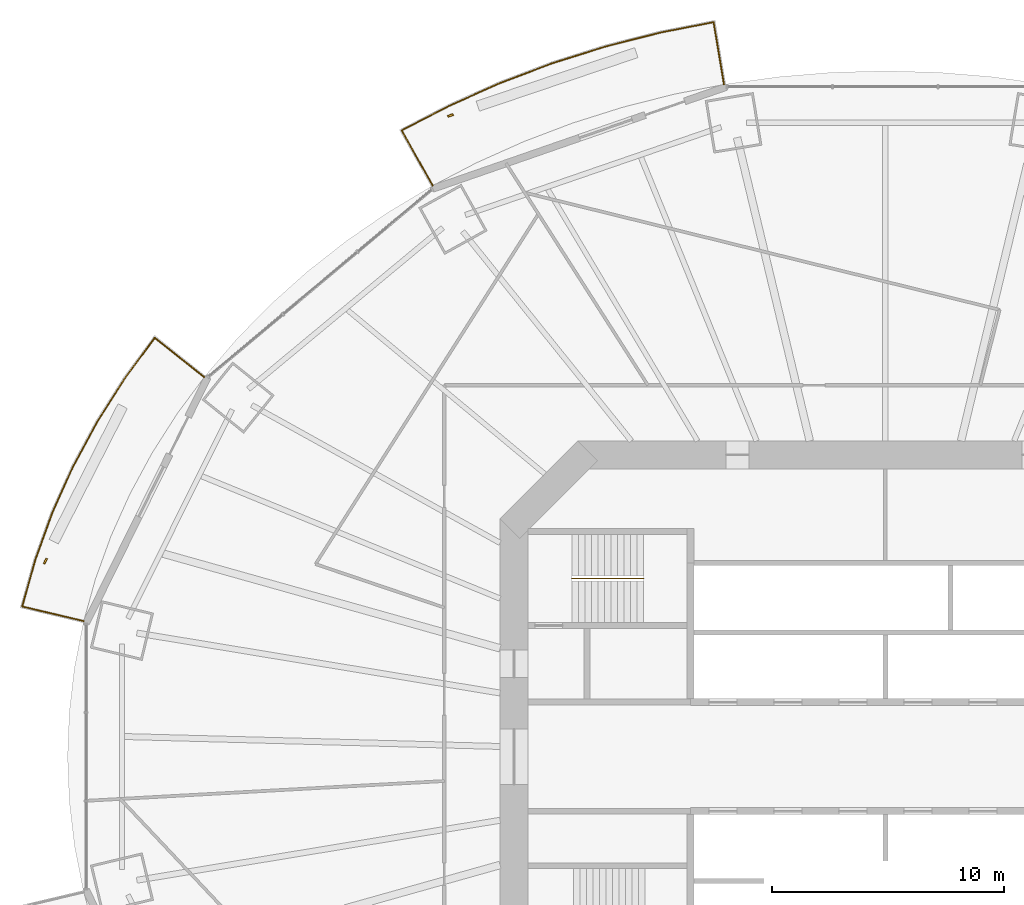
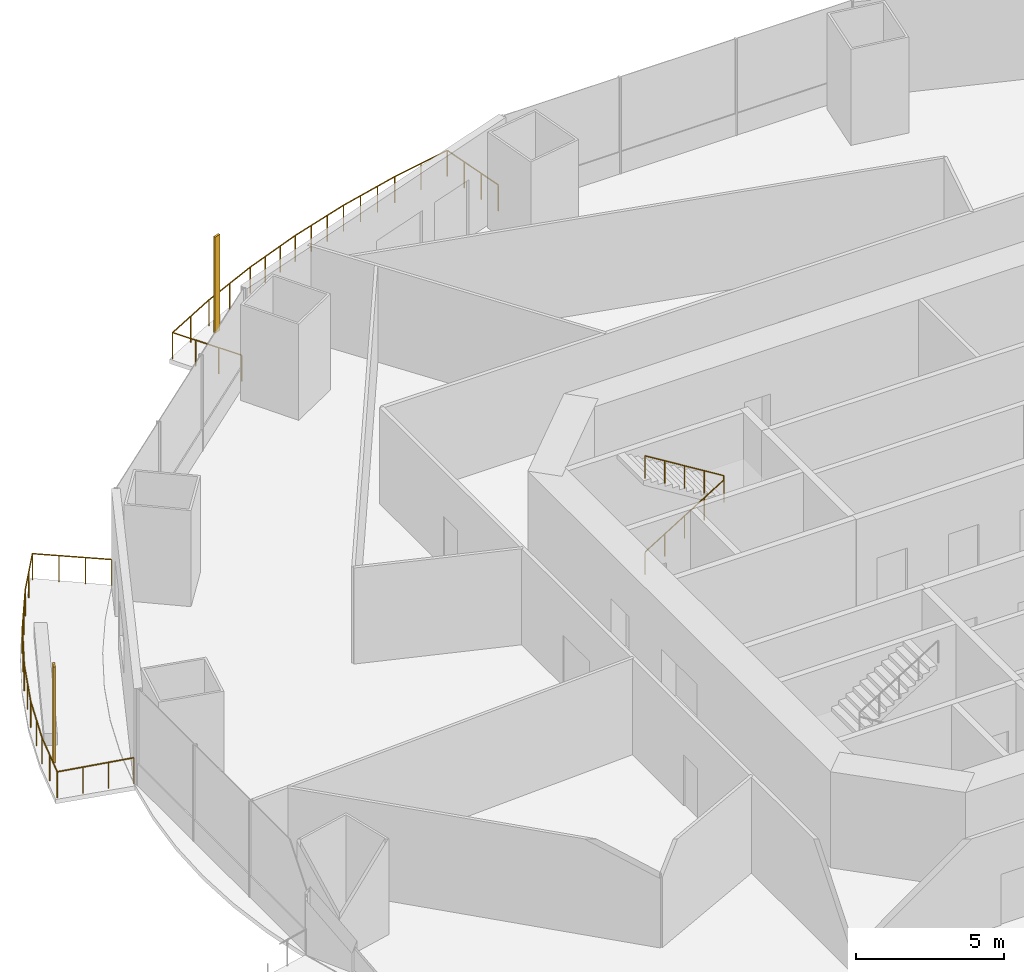
# One storey, part 19 of 22: 3 railings, 2 shading devices.
"""IFC4 building model written with IfcOpenShell, lengths in metres."""

import ifcopenshell
import ifcopenshell.guid

model = None  # the IFC model being written
_history = None  # IfcOwnerHistory: only IFC2X3 demands one
_inside = {}  # id of a spatial element -> (the spatial element, [elements in it])
_under = {}  # id of a project, library or spatial element -> (it, [spatial elements below it])
_declared = {}  # id of a project -> (the project, [libraries it declares])
_typed = {}  # id of a type object -> (the type object, [elements of that type])
_made_of = {}  # id of a material, layer set ... -> (it, [elements and type objects made of it])


def new_model(schema):
    """Start an empty IFC model of exactly this schema.

    Asked for "IFC4X3", IfcOpenShell would pick the latest addendum, in which some entities
    have other attributes; the version numbers below select the first issue.
    IFC2X3 requires an IfcOwnerHistory on every rooted entity: one is made here for all.
    """
    global model, _history
    if schema == "IFC4X3":
        model = ifcopenshell.file(schema_version=(4, 3, 0, 0))
    else:
        model = ifcopenshell.file(schema=schema)
    _inside.clear()
    _under.clear()
    _declared.clear()
    _typed.clear()
    _made_of.clear()
    _history = None
    if model.schema == "IFC2X3":
        org = make("IfcOrganization", Name="unknown")
        user = make(
            "IfcPersonAndOrganization",
            ThePerson=make("IfcPerson", FamilyName="unknown"),
            TheOrganization=org,
        )
        app = make(
            "IfcApplication",
            ApplicationDeveloper=org,
            Version="unknown",
            ApplicationFullName="unknown",
            ApplicationIdentifier="unknown",
        )
        _history = make(
            "IfcOwnerHistory",
            OwningUser=user,
            OwningApplication=app,
            ChangeAction="ADDED",
            CreationDate=0,
        )
    return model


def make(cls, **values):
    """One entity of the class cls with the attributes given. An attribute that is None is left unset."""
    return model.create_entity(
        cls, **{name: value for name, value in values.items() if value is not None}
    )


def rooted(cls, **values):
    """An entity with a GlobalId (a new one), such as an element, a storey or a relation."""
    return make(cls, GlobalId=ifcopenshell.guid.new(), OwnerHistory=_history, **values)


def si_unit(unit_type, name, prefix=None):
    """IfcSIUnit, for example si_unit("LENGTHUNIT", "METRE", prefix="MILLI")."""
    return make("IfcSIUnit", UnitType=unit_type, Prefix=prefix, Name=name)


def assignment(units):
    """IfcUnitAssignment: the units of a project."""
    return None if units is None else make("IfcUnitAssignment", Units=units)


def point(xyz):
    """IfcCartesianPoint."""
    return None if xyz is None else make("IfcCartesianPoint", Coordinates=xyz)


def direction(xyz):
    """IfcDirection."""
    return None if xyz is None else make("IfcDirection", DirectionRatios=xyz)


def frame(location, z_axis=None, x_axis=None):
    """IfcAxis2Placement3D, a coordinate frame: its origin and axes. An axis left out is left unset."""
    return make(
        "IfcAxis2Placement3D",
        Location=point(location),
        Axis=direction(z_axis),
        RefDirection=direction(x_axis),
    )


def frame_2d(location, x_axis=None):
    """IfcAxis2Placement2D, a coordinate frame in the plane: its origin and x axis."""
    return make(
        "IfcAxis2Placement2D", Location=point(location), RefDirection=direction(x_axis)
    )


def origin():
    """The frame at (0, 0, 0) with its axes left unset."""
    return frame((0.0, 0.0, 0.0))


def origin_2d():
    """The frame at (0, 0) in the plane with its x axis left unset."""
    return frame_2d((0.0, 0.0))


def place(relative_to, where):
    """IfcLocalPlacement: puts the frame where relative to a parent placement (None: the world)."""
    return make(
        "IfcLocalPlacement", PlacementRelTo=relative_to, RelativePlacement=where
    )


def context(
    kind, dimensions, precision=None, world=None, true_north=None, identifier=None
):
    """IfcGeometricRepresentationContext, for example the 3D "Model" context."""
    return make(
        "IfcGeometricRepresentationContext",
        ContextIdentifier=identifier,
        ContextType=kind,
        CoordinateSpaceDimension=dimensions,
        Precision=precision,
        WorldCoordinateSystem=world,
        TrueNorth=true_north,
    )


def subcontext(parent, identifier, kind, view, scale=None):
    """IfcGeometricRepresentationSubContext, for example "Body" below "Model"."""
    return make(
        "IfcGeometricRepresentationSubContext",
        ContextIdentifier=identifier,
        ContextType=kind,
        ParentContext=parent,
        TargetScale=scale,
        TargetView=view,
    )


def project(units=None, contexts=None):
    """IfcProject with its units and contexts."""
    return rooted(
        "IfcProject",
        Name="project",
        RepresentationContexts=contexts,
        UnitsInContext=assignment(units),
    )


def spatial(cls, under=None, at=None, **own):
    """A site, building, storey or space (cls), placed at a placement, below another one or the project."""
    s = rooted(cls, ObjectPlacement=at, **own)
    if under is not None:
        _under.setdefault(under.id(), (under, []))[1].append(s)
    return s


def profile(cls, at=None, kind="AREA", **sizes):
    """A parametric profile (cls). Its sizes go by their IFC names, for example OverallWidth=200.0."""
    return make(cls, ProfileType=kind, Position=at, **sizes)


def rectangle(**sizes):
    """IfcRectangleProfileDef."""
    return profile("IfcRectangleProfileDef", **sizes)


def circle(**sizes):
    """IfcCircleProfileDef."""
    return profile("IfcCircleProfileDef", **sizes)


def extrude(swept, where, along, depth):
    """IfcExtrudedAreaSolid: the profile swept, set in the frame where, extruded along a direction by depth."""
    return make(
        "IfcExtrudedAreaSolid",
        SweptArea=swept,
        Position=where,
        ExtrudedDirection=direction(along),
        Depth=depth,
    )


def shape(context_of_items, identifier, shape_type, items):
    """IfcShapeRepresentation: the items that make up one representation, for example the "Body"."""
    return make(
        "IfcShapeRepresentation",
        ContextOfItems=context_of_items,
        RepresentationIdentifier=identifier,
        RepresentationType=shape_type,
        Items=items,
    )


def material(Name=None, Category=None):
    """IfcMaterial."""
    return make("IfcMaterial", Name=Name, Category=Category)


def material_profile(
    of_material, cross_section, Name=None, Category=None, Priority=None
):
    """IfcMaterialProfile: a cross section and its material."""
    return make(
        "IfcMaterialProfile",
        Name=Name,
        Material=of_material,
        Profile=cross_section,
        Priority=Priority,
        Category=Category,
    )


def profile_set(profiles, Name=None, composite=None):
    """IfcMaterialProfileSet."""
    return make(
        "IfcMaterialProfileSet",
        Name=Name,
        MaterialProfiles=profiles,
        CompositeProfile=composite,
    )


def made_of(thing, what):
    """Note that an element or type object is made of a material, layer set ...; save() writes the relation."""
    if what is not None:
        _made_of.setdefault(what.id(), (what, []))[1].append(thing)
    return thing


def type_object(cls, material=None, **own):
    """A type object (cls), such as IfcWallType, which elements share."""
    return made_of(rooted(cls, **own), material)


def element(
    cls,
    number,
    at=None,
    inside=None,
    cuts=None,
    type_object=None,
    material=None,
    context=None,
    identifier="Body",
    shape_type=None,
    held_by="IfcProductDefinitionShape",
    body=None,
    shapes=None,
    **own,
):
    """One element of the class cls, such as IfcWall. Its Tag is "e" and its number.

    at: its placement. inside: the storey or other place that contains it. cuts: it is an
    opening in that element (IfcRelVoidsElement). A single representation is given by context,
    identifier, shape_type and body (its items); several are given by shapes. held_by: the class
    of the entity that holds the representations. save() writes the other relations.
    """
    e = rooted(cls, Tag="e%d" % number, ObjectPlacement=at, **own)
    if body is not None:
        shapes = [shape(context, identifier, shape_type, body)]
    if shapes is not None:
        e.Representation = make(held_by, Representations=shapes)
    if inside is not None:
        _inside.setdefault(inside.id(), (inside, []))[1].append(e)
    if cuts is not None:
        rooted(
            "IfcRelVoidsElement", RelatingBuildingElement=cuts, RelatedOpeningElement=e
        )
    if type_object is not None:
        _typed.setdefault(type_object.id(), (type_object, []))[1].append(e)
    return made_of(e, material)


def aggregate(whole, parts):
    """IfcRelAggregates: a whole, such as a stair, and the parts it consists of."""
    return rooted("IfcRelAggregates", RelatingObject=whole, RelatedObjects=parts)


def save(model, path):
    """Write the relations noted so far, then the file.

    IfcRelAggregates (storeys below a building ...), IfcRelContainedInSpatialStructure (elements
    in a storey), IfcRelDefinesByType, IfcRelAssociatesMaterial and IfcRelDeclares: one each for
    every whole, place, type object, material and project.
    """
    for whole, parts in _under.values():
        aggregate(whole, parts)
    for where, things in _inside.values():
        rooted(
            "IfcRelContainedInSpatialStructure",
            RelatedElements=things,
            RelatingStructure=where,
        )
    for kind, things in _typed.values():
        rooted("IfcRelDefinesByType", RelatedObjects=things, RelatingType=kind)
    for what, things in _made_of.values():
        rooted("IfcRelAssociatesMaterial", RelatedObjects=things, RelatingMaterial=what)
    for by, libraries in _declared.values():
        rooted("IfcRelDeclares", RelatingContext=by, RelatedDefinitions=libraries)
    model.write(path)


model = new_model("IFC4")

# Units and contexts
model_context = context("Model", 3, precision=1e-05, world=origin(), true_north=direction((0.0, 1.0)))
body_context = subcontext(model_context, "Body", "Model", "MODEL_VIEW")
ifc_project = project(units=[si_unit("LENGTHUNIT", "METRE"), si_unit("AREAUNIT", "SQUARE_METRE"), si_unit("VOLUMEUNIT", "CUBIC_METRE"), si_unit("PLANEANGLEUNIT", "RADIAN"), si_unit("MASSUNIT", "GRAM", prefix="KILO")], contexts=[model_context])

# Site, building, storey
site_placement = place(None, origin())
site = spatial("IfcSite", under=ifc_project, at=site_placement, CompositionType="ELEMENT")
building_placement = place(site_placement, origin())
building = spatial("IfcBuilding", under=site, at=building_placement, Name="Marenthal Gate Tower", CompositionType="ELEMENT")
storey_placement = place(building_placement, frame((0.0, 0.0, 91.10009765625)))
storey = spatial("IfcBuildingStorey", under=building, at=storey_placement, Name="L18", CompositionType="ELEMENT", Elevation=91.10009765625)

# Railings
ifc_material_1 = material(Name="Stainless steel", Category="steel")
railing_type_1 = type_object("IfcRailingType", Name="Balcony guard 1100", PredefinedType="GUARDRAIL", material=ifc_material_1)
railing_1_placement = place(storey_placement, frame((-19.50341796875, 24.59912109375, 0.0)))
element("IfcRailing", 1, at=railing_1_placement, inside=storey, type_object=railing_type_1, Name="Balcony guard L18 bay 5", PredefinedType="GUARDRAIL", context=body_context, shape_type="SweptSolid", body=[
    extrude(circle(Radius=0.02392578125, at=origin_2d()), frame((0.0, 0.0, 1.076171875), z_axis=(-0.489023148101, 0.872146623829, -0.01471825955), x_axis=(-0.872241104505, -0.489076124557, 0.0)), (0.0, 0.0, 1.0), 2.720458984375),
    extrude(circle(Radius=0.02392578125, at=origin_2d()), frame((-1.330322265625, 2.37255859375, 1.0361328125), z_axis=(0.887216801235, 0.461352736642, 0.0), x_axis=(-0.461352736642, 0.887216801235, 0.0)), (0.0, 0.0, 1.0), 2.290771484375),
    extrude(circle(Radius=0.02392578125, at=origin_2d()), frame((0.7021484375, 3.429443359375, 1.0361328125), z_axis=(0.912542222384, 0.408982508631, 0.0), x_axis=(-0.408982508631, 0.912542222384, 0.0)), (0.0, 0.0, 1.0), 2.3876953125),
    extrude(circle(Radius=0.02392578125, at=origin_2d()), frame((2.881103515625, 4.406005859375, 1.0361328125), z_axis=(0.934801116304, 0.355171610573, 0.0), x_axis=(-0.355171610573, 0.934801116304, 0.0)), (0.0, 0.0, 1.0), 2.40380859375),
    extrude(circle(Radius=0.02392578125, at=origin_2d()), frame((5.128173828125, 5.259765625, 1.0361328125), z_axis=(0.953649791478, 0.300918718616, 0.0), x_axis=(-0.300918718616, 0.953649791478, 0.0)), (0.0, 0.0, 1.0), 2.417724609375),
    extrude(circle(Radius=0.02392578125, at=origin_2d()), frame((7.433837890625, 5.9873046875, 1.0361328125), z_axis=(0.969141273658, 0.246505966848, 0.0), x_axis=(-0.246505966848, 0.969141273658, 0.0)), (0.0, 0.0, 1.0), 2.429443359375),
    extrude(circle(Radius=0.02392578125, at=origin_2d()), frame((9.788330078125, 6.586181640625, 1.0361328125), z_axis=(0.981243578155, 0.19277199052, 0.0), x_axis=(-0.19277199052, 0.981243578155, 0.0)), (0.0, 0.0, 1.0), 2.359375),
    extrude(circle(Radius=0.02392578125, at=origin_2d()), frame((12.103515625, 7.041015625, 1.0361328125), z_axis=(0.164599482451, -0.986250661205, 0.014718819587), x_axis=(0.986357511038, 0.164617315064, 0.0)), (0.0, 0.0, 1.0), 2.72021484375),
    extrude(circle(Radius=0.02099609375, at=origin_2d()), origin(), (0.0, 0.0, 1.0), 1.052001953125),
    extrude(circle(Radius=0.02099609375, at=origin_2d()), frame((-0.443359375, 0.790771484375, -0.013427734375)), (0.0, 0.0, 1.0), 1.052001953125),
    extrude(circle(Radius=0.02099609375, at=origin_2d()), frame((-0.886962890625, 1.581787109375, -0.026611328125)), (0.0, 0.0, 1.0), 1.052001953125),
    extrude(circle(Radius=0.02099609375, at=origin_2d()), frame((-1.330322265625, 2.37255859375, -0.0400390625)), (0.0, 0.0, 1.0), 1.052001953125),
    extrude(circle(Radius=0.02099609375, at=origin_2d()), frame((-0.31396484375, 2.90087890625, -0.0400390625)), (0.0, 0.0, 1.0), 1.052001953125),
    extrude(circle(Radius=0.02099609375, at=origin_2d()), frame((0.7021484375, 3.429443359375, -0.0400390625)), (0.0, 0.0, 1.0), 1.052001953125),
    extrude(circle(Radius=0.02099609375, at=origin_2d()), frame((1.79150390625, 3.917724609375, -0.0400390625)), (0.0, 0.0, 1.0), 1.052001953125),
    extrude(circle(Radius=0.02099609375, at=origin_2d()), frame((2.881103515625, 4.406005859375, -0.0400390625)), (0.0, 0.0, 1.0), 1.052001953125),
    extrude(circle(Radius=0.02099609375, at=origin_2d()), frame((3.630126953125, 4.690673828125, -0.0400390625)), (0.0, 0.0, 1.0), 1.052001953125),
    extrude(circle(Radius=0.02099609375, at=origin_2d()), frame((4.379150390625, 4.97509765625, -0.0400390625)), (0.0, 0.0, 1.0), 1.052001953125),
    extrude(circle(Radius=0.02099609375, at=origin_2d()), frame((5.128173828125, 5.259765625, -0.0400390625)), (0.0, 0.0, 1.0), 1.052001953125),
    extrude(circle(Radius=0.02099609375, at=origin_2d()), frame((5.896728515625, 5.502197265625, -0.0400390625)), (0.0, 0.0, 1.0), 1.052001953125),
    extrude(circle(Radius=0.02099609375, at=origin_2d()), frame((6.665283203125, 5.744873046875, -0.0400390625)), (0.0, 0.0, 1.0), 1.052001953125),
    extrude(circle(Radius=0.02099609375, at=origin_2d()), frame((7.433837890625, 5.9873046875, -0.0400390625)), (0.0, 0.0, 1.0), 1.052001953125),
    extrude(circle(Radius=0.02099609375, at=origin_2d()), frame((8.21875, 6.18701171875, -0.0400390625)), (0.0, 0.0, 1.0), 1.052001953125),
    extrude(circle(Radius=0.02099609375, at=origin_2d()), frame((9.00341796875, 6.386474609375, -0.0400390625)), (0.0, 0.0, 1.0), 1.052001953125),
    extrude(circle(Radius=0.02099609375, at=origin_2d()), frame((9.788330078125, 6.586181640625, -0.0400390625)), (0.0, 0.0, 1.0), 1.052001953125),
    extrude(circle(Radius=0.02099609375, at=origin_2d()), frame((10.94580078125, 6.8134765625, -0.0400390625)), (0.0, 0.0, 1.0), 1.052001953125),
    extrude(circle(Radius=0.02099609375, at=origin_2d()), frame((12.103515625, 7.041015625, -0.0400390625)), (0.0, 0.0, 1.0), 1.052001953125),
    extrude(circle(Radius=0.02099609375, at=origin_2d()), frame((12.252685546875, 6.146728515625, -0.026611328125)), (0.0, 0.0, 1.0), 1.052001953125),
    extrude(circle(Radius=0.02099609375, at=origin_2d()), frame((12.402099609375, 5.25244140625, -0.013427734375)), (0.0, 0.0, 1.0), 1.052001953125),
    extrude(circle(Radius=0.02099609375, at=origin_2d()), frame((12.55126953125, 4.358154296875, 0.0)), (0.0, 0.0, 1.0), 1.052001953125),
])
railing_2_placement = place(storey_placement, frame((-34.53564453125, 5.84033203125, 0.0)))
element("IfcRailing", 2, at=railing_2_placement, inside=storey, type_object=railing_type_1, Name="Balcony guard L18 bay 7", PredefinedType="GUARDRAIL", context=body_context, shape_type="SweptSolid", body=[
    extrude(circle(Radius=0.02392578125, at=origin_2d()), frame((0.0, 0.0, 1.076171875), z_axis=(-0.972921871805, 0.230665056323, -0.014719482193), x_axis=(-0.230690048693, -0.973027287096, 0.0)), (0.0, 0.0, 1.0), 2.72021484375),
    extrude(circle(Radius=0.02392578125, at=origin_2d()), frame((-2.646484375, 0.62744140625, 1.0361328125), z_axis=(0.269294922849, 0.963057757628, 0.0), x_axis=(-0.963057757628, 0.269294922849, 0.0)), (0.0, 0.0, 1.0), 2.08154296875),
    extrude(circle(Radius=0.02392578125, at=origin_2d()), frame((-2.0859375, 2.632080078125, 1.0361328125), z_axis=(0.340172038454, 0.940363219322, 0.0), x_axis=(-0.940363219322, 0.340172038454, 0.0)), (0.0, 0.0, 1.0), 2.171630859375),
    extrude(circle(Radius=0.02392578125, at=origin_2d()), frame((-1.34716796875, 4.67431640625, 1.0361328125), z_axis=(0.409495490191, 0.912312141492, 0.0), x_axis=(-0.912312141492, 0.409495490191, 0.0)), (0.0, 0.0, 1.0), 2.1845703125),
    extrude(circle(Radius=0.02392578125, at=origin_2d()), frame((-0.45263671875, 6.667236328125, 1.0361328125), z_axis=(0.475449699906, 0.879742907251, 0.0), x_axis=(-0.879742907251, 0.475449699906, 0.0)), (0.0, 0.0, 1.0), 2.19921875),
    extrude(circle(Radius=0.02392578125, at=origin_2d()), frame((0.593017578125, 8.60205078125, 1.0361328125), z_axis=(0.537495639062, 0.843266528442, 0.0), x_axis=(-0.843266528442, 0.537495639062, 0.0)), (0.0, 0.0, 1.0), 2.215576171875),
    extrude(circle(Radius=0.02392578125, at=origin_2d()), frame((1.783935546875, 10.470458984375, 1.0361328125), z_axis=(0.594617358606, 0.804008828835, 0.0), x_axis=(-0.804008828835, 0.594617358606, 0.0)), (0.0, 0.0, 1.0), 2.153564453125),
    extrude(circle(Radius=0.02392578125, at=origin_2d()), frame((3.064453125, 12.201904296875, 1.0361328125), z_axis=(0.782218085053, -0.62283082954, 0.014718192514), x_axis=(0.622898300926, 0.782302822892, 0.0)), (0.0, 0.0, 1.0), 2.720458984375),
    extrude(circle(Radius=0.02099609375, at=origin_2d()), origin(), (0.0, 0.0, 1.0), 1.052001953125),
    extrude(circle(Radius=0.02099609375, at=origin_2d()), frame((-0.882080078125, 0.209228515625, -0.013427734375)), (0.0, 0.0, 1.0), 1.052001953125),
    extrude(circle(Radius=0.02099609375, at=origin_2d()), frame((-1.764404296875, 0.418212890625, -0.026611328125)), (0.0, 0.0, 1.0), 1.052001953125),
    extrude(circle(Radius=0.02099609375, at=origin_2d()), frame((-2.646484375, 0.62744140625, -0.0400390625)), (0.0, 0.0, 1.0), 1.052001953125),
    extrude(circle(Radius=0.02099609375, at=origin_2d()), frame((-2.3662109375, 1.6298828125, -0.0400390625)), (0.0, 0.0, 1.0), 1.052001953125),
    extrude(circle(Radius=0.02099609375, at=origin_2d()), frame((-2.0859375, 2.632080078125, -0.0400390625)), (0.0, 0.0, 1.0), 1.052001953125),
    extrude(circle(Radius=0.02099609375, at=origin_2d()), frame((-1.716552734375, 3.6533203125, -0.0400390625)), (0.0, 0.0, 1.0), 1.052001953125),
    extrude(circle(Radius=0.02099609375, at=origin_2d()), frame((-1.34716796875, 4.67431640625, -0.0400390625)), (0.0, 0.0, 1.0), 1.052001953125),
    extrude(circle(Radius=0.02099609375, at=origin_2d()), frame((-0.89990234375, 5.6708984375, -0.0400390625)), (0.0, 0.0, 1.0), 1.052001953125),
    extrude(circle(Radius=0.02099609375, at=origin_2d()), frame((-0.45263671875, 6.667236328125, -0.0400390625)), (0.0, 0.0, 1.0), 1.052001953125),
    extrude(circle(Radius=0.02099609375, at=origin_2d()), frame((0.0703125, 7.634765625, -0.0400390625)), (0.0, 0.0, 1.0), 1.052001953125),
    extrude(circle(Radius=0.02099609375, at=origin_2d()), frame((0.593017578125, 8.60205078125, -0.0400390625)), (0.0, 0.0, 1.0), 1.052001953125),
    extrude(circle(Radius=0.02099609375, at=origin_2d()), frame((1.1884765625, 9.5361328125, -0.0400390625)), (0.0, 0.0, 1.0), 1.052001953125),
    extrude(circle(Radius=0.02099609375, at=origin_2d()), frame((1.783935546875, 10.470458984375, -0.0400390625)), (0.0, 0.0, 1.0), 1.052001953125),
    extrude(circle(Radius=0.02099609375, at=origin_2d()), frame((2.42431640625, 11.336181640625, -0.0400390625)), (0.0, 0.0, 1.0), 1.052001953125),
    extrude(circle(Radius=0.02099609375, at=origin_2d()), frame((3.064453125, 12.201904296875, -0.0400390625)), (0.0, 0.0, 1.0), 1.052001953125),
    extrude(circle(Radius=0.02099609375, at=origin_2d()), frame((3.773681640625, 11.63720703125, -0.026611328125)), (0.0, 0.0, 1.0), 1.052001953125),
    extrude(circle(Radius=0.02099609375, at=origin_2d()), frame((4.483154296875, 11.072265625, -0.013427734375)), (0.0, 0.0, 1.0), 1.052001953125),
    extrude(circle(Radius=0.02099609375, at=origin_2d()), frame((5.1923828125, 10.507568359375, 0.0)), (0.0, 0.0, 1.0), 1.052001953125),
])
ifc_material_2 = material(Name="Stainless steel", Category="steel")
railing_type_2 = type_object("IfcRailingType", Name="Stair handrail", PredefinedType="HANDRAIL", material=ifc_material_2)
railing_3_placement = place(storey_placement, frame((-13.5, 7.675048828125, 0.1728515625)))
element("IfcRailing", 3, at=railing_3_placement, inside=storey, type_object=railing_type_2, Name="Handrail ST1", PredefinedType="HANDRAIL", context=body_context, shape_type="SweptSolid", body=[
    extrude(circle(Radius=0.0224609375, at=origin_2d()), frame((0.0, 0.0, 0.927490234375), z_axis=(0.850835241893, 0.0, 0.525432575268), x_axis=(0.0, 1.0, 0.0)), (0.0, 0.0, 1.0), 3.6201171875),
    extrude(circle(Radius=0.0224609375, at=origin_2d()), frame((3.080078125, 0.0, 2.82958984375), z_axis=(0.0, 0.0, 1.0), x_axis=(1.0, 0.0, 0.0)), (0.0, 0.0, 1.0), 0.1728515625),
    extrude(circle(Radius=0.0224609375, at=origin_2d()), frame((3.080078125, 0.0, 3.00244140625), z_axis=(-0.850835241893, 0.0, 0.525432575268), x_axis=(0.0, -1.0, 0.0)), (0.0, 0.0, 1.0), 3.6201171875),
    extrude(circle(Radius=0.02001953125, at=origin_2d()), origin(), (0.0, 0.0, 1.0), 0.905029296875),
    extrude(circle(Radius=0.02001953125, at=origin_2d()), frame((0.77001953125, 0.0, 0.4755859375)), (0.0, 0.0, 1.0), 0.905029296875),
    extrude(circle(Radius=0.02001953125, at=origin_2d()), frame((1.5400390625, 0.0, 0.951171875)), (0.0, 0.0, 1.0), 0.905029296875),
    extrude(circle(Radius=0.02001953125, at=origin_2d()), frame((2.31005859375, 0.0, 1.426513671875)), (0.0, 0.0, 1.0), 0.905029296875),
    extrude(circle(Radius=0.02001953125, at=origin_2d()), frame((3.080078125, 0.0, 1.902099609375)), (0.0, 0.0, 1.0), 0.905029296875),
    extrude(circle(Radius=0.02001953125, at=origin_2d()), frame((3.080078125, 0.0, 2.074951171875)), (0.0, 0.0, 1.0), 0.905029296875),
    extrude(circle(Radius=0.02001953125, at=origin_2d()), frame((2.31005859375, 0.0, 2.550537109375)), (0.0, 0.0, 1.0), 0.905029296875),
    extrude(circle(Radius=0.02001953125, at=origin_2d()), frame((1.5400390625, 0.0, 3.02587890625)), (0.0, 0.0, 1.0), 0.905029296875),
    extrude(circle(Radius=0.02001953125, at=origin_2d()), frame((0.77001953125, 0.0, 3.50146484375)), (0.0, 0.0, 1.0), 0.905029296875),
    extrude(circle(Radius=0.02001953125, at=origin_2d()), frame((0.0, 0.0, 3.97705078125)), (0.0, 0.0, 1.0), 0.905029296875),
])

# Shading devices
ifc_material_3 = material(Name="Terracotta", Category="masonry")
ifc_material_profile = material_profile(ifc_material_3, rectangle(XDim=0.25, YDim=0.080078125, at=origin_2d()), Name="Terracotta baguette 250x80")
ifc_profile_set = profile_set([ifc_material_profile], Name="Terracotta")
shading_device_type = type_object("IfcShadingDeviceType", Name="Terracotta BAGUETTE SCREEN 250x80", PredefinedType="USERDEFINED", material=ifc_profile_set)
for number, where, z_axis, x_axis, name in (
    (4, (-18.7353515625, 27.6201171875, -0.0400390625), (0.0, 0.0, 1.0), (-0.944634232614, -0.328125230017, 0.0), "Terracotta BAGUETTE L18 bay 5R"),
    (5, (-36.182373046875, 8.421630859375, -0.0400390625), (0.0, 0.0, 1.0), (-0.442860405886, -0.896590575959, 0.0), "Terracotta BAGUETTE L18 bay 7R"),
):
    element("IfcShadingDevice", number, at=place(storey_placement, frame(where, z_axis=z_axis, x_axis=x_axis)), inside=storey, type_object=shading_device_type, Name=name, ObjectType="BAGUETTE SCREEN", PredefinedType="USERDEFINED", context=body_context, shape_type="SweptSolid", body=[
        extrude(rectangle(XDim=0.25, YDim=0.080078125, at=origin_2d()), origin(), (0.0, 0.0, 1.0), 3.969970703125),
    ])

save(model, "model.ifc")
